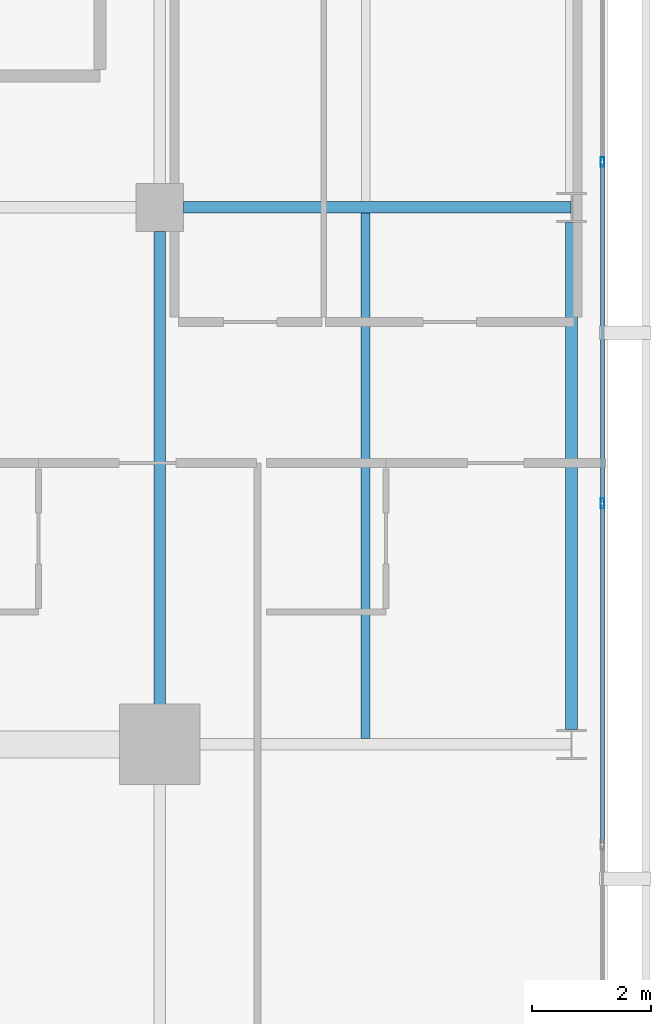
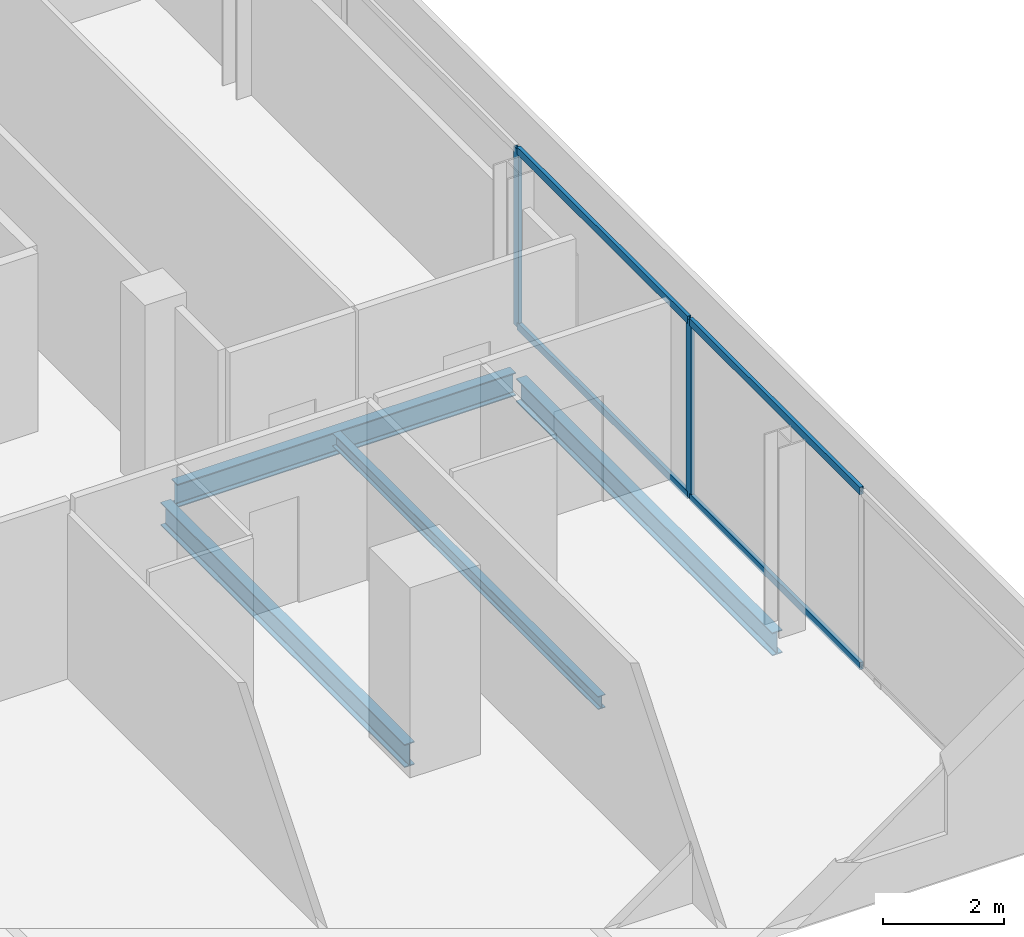
# One storey, part 12 of 24: 6 members, 4 beams, 1 element without a shape of its own.
"""IFC4 building model written with IfcOpenShell, lengths in metres."""

from ifc_helpers import new_model, si_unit, direction, frame, origin, origin_2d, place, context, subcontext, project, spatial, hollow_rectangle, i_section, extrude, material, layer, layer_set, material_profile, profile_set, type_object, element, aggregate, save


model = new_model("IFC4")

# Units and contexts
model_context = context("Model", 3, precision=1e-05, world=origin(), true_north=direction((0.0, 1.0)))
body_context = subcontext(model_context, "Body", "Model", "MODEL_VIEW")
ifc_project = project(units=[si_unit("LENGTHUNIT", "METRE"), si_unit("AREAUNIT", "SQUARE_METRE"), si_unit("VOLUMEUNIT", "CUBIC_METRE"), si_unit("PLANEANGLEUNIT", "RADIAN"), si_unit("MASSUNIT", "GRAM", prefix="KILO")], contexts=[model_context])

# Site, building, storey
site_placement = place(None, origin())
site = spatial("IfcSite", under=ifc_project, at=site_placement, CompositionType="ELEMENT")
building_placement = place(site_placement, origin())
building = spatial("IfcBuilding", under=site, at=building_placement, Name="Maruvema Waterfront Hotel and Observation Tower", CompositionType="ELEMENT")
storey_placement = place(building_placement, frame((0.0, 0.0, 325.85009765625)))
storey = spatial("IfcBuildingStorey", under=building, at=storey_placement, Name="L80", CompositionType="ELEMENT", Elevation=325.85009765625)

# Curtain wall, members
ifc_material_1 = material(Name="Anodised bronze aluminium and solar-control low-E IGU", Category="aluminium")
ifc_layer = layer(ifc_material_1, 0.159912109375, Name="Zone 4 Sky Residence Inner Curtain Wall System CW-05")
ifc_layer_set = layer_set([ifc_layer], Name="Anodised bronze aluminium and solar-control low-E IGU")
curtain_wall_type = type_object("IfcCurtainWallType", Name="Zone 4 Sky Residence Inner Curtain Wall System CW-05", PredefinedType="USERDEFINED", material=ifc_layer_set)
curtain_wall_placement = place(storey_placement, origin())
curtain_wall = element("IfcCurtainWall", 1, at=curtain_wall_placement, inside=storey, type_object=curtain_wall_type, Name="L80 Curtain Wall CW-L80-E", ObjectType="UNITISED CURTAIN WALL", PredefinedType="USERDEFINED")
ifc_material_2 = material(Name="Anodised architectural bronze aluminium", Category="aluminium")
ifc_material_profile_1 = material_profile(ifc_material_2, hollow_rectangle(XDim=0.070068359375, YDim=0.14990234375, WallThickness=0.00390625, at=origin_2d()), Name="ALU-T70x150")
ifc_profile_set_1 = profile_set([ifc_material_profile_1], Name="Anodised architectural bronze aluminium")
member_type_1 = type_object("IfcMemberType", Name="Curtain Wall Horizontal Transom ALU-T70x150", PredefinedType="USERDEFINED", material=ifc_profile_set_1)
member_1_placement = place(storey_placement, frame((57.820068359375, 25.35009765625, 0.02978515625), z_axis=(0.0, 1.0, 0.0), x_axis=(-1.0, 0.0, 0.0)))
member_1 = element("IfcMember", 2, at=member_1_placement, type_object=member_type_1, Name="CW-05 transom 2.1", ObjectType="TRANSOM", PredefinedType="USERDEFINED", context=body_context, shape_type="SweptSolid", body=[
    extrude(hollow_rectangle(XDim=0.070068359375, YDim=0.14990234375, WallThickness=0.00390625, at=origin_2d()), origin(), (0.0, 0.0, 1.0), 5.659912109375),
])
member_2_placement = place(storey_placement, frame((57.820068359375, 25.35009765625, 3.579833984375), z_axis=(0.0, 1.0, 0.0), x_axis=(-1.0, 0.0, 0.0)))
member_2 = element("IfcMember", 3, at=member_2_placement, type_object=member_type_1, Name="CW-05 transom 2.2", ObjectType="TRANSOM", PredefinedType="USERDEFINED", context=body_context, shape_type="SweptSolid", body=[
    extrude(hollow_rectangle(XDim=0.070068359375, YDim=0.14990234375, WallThickness=0.00390625, at=origin_2d()), origin(), (0.0, 0.0, 1.0), 5.659912109375),
])
member_3_placement = place(storey_placement, frame((57.820068359375, 31.070068359375, 0.02978515625), z_axis=(0.0, 1.0, 0.0), x_axis=(-1.0, 0.0, 0.0)))
member_3 = element("IfcMember", 4, at=member_3_placement, type_object=member_type_1, Name="CW-05 transom 3.1", ObjectType="TRANSOM", PredefinedType="USERDEFINED", context=body_context, shape_type="SweptSolid", body=[
    extrude(hollow_rectangle(XDim=0.070068359375, YDim=0.14990234375, WallThickness=0.00390625, at=origin_2d()), origin(), (0.0, 0.0, 1.0), 5.659912109375),
])
member_4_placement = place(storey_placement, frame((57.820068359375, 31.070068359375, 3.579833984375), z_axis=(0.0, 1.0, 0.0), x_axis=(-1.0, 0.0, 0.0)))
member_4 = element("IfcMember", 5, at=member_4_placement, type_object=member_type_1, Name="CW-05 transom 3.2", ObjectType="TRANSOM", PredefinedType="USERDEFINED", context=body_context, shape_type="SweptSolid", body=[
    extrude(hollow_rectangle(XDim=0.070068359375, YDim=0.14990234375, WallThickness=0.00390625, at=origin_2d()), origin(), (0.0, 0.0, 1.0), 5.659912109375),
])
ifc_material_3 = material(Name="Anodised architectural bronze aluminium", Category="aluminium")
ifc_material_profile_2 = material_profile(ifc_material_3, hollow_rectangle(XDim=0.06494140625, YDim=0.1650390625, WallThickness=0.00390625, at=origin_2d()), Name="ALU-M65x165")
ifc_profile_set_2 = profile_set([ifc_material_profile_2], Name="Anodised architectural bronze aluminium")
member_type_2 = type_object("IfcMemberType", Name="Curtain Wall Primary Mullion ALU-M65x165", PredefinedType="MULLION", material=ifc_profile_set_2)
member_5_placement = place(storey_placement, frame((57.820068359375, 31.0400390625, 0.0), z_axis=(0.0, 0.0, 1.0), x_axis=(-1.0, 0.0, 0.0)))
member_5 = element("IfcMember", 6, at=member_5_placement, type_object=member_type_2, Name="CW-05 mullion 3", PredefinedType="MULLION", context=body_context, shape_type="SweptSolid", body=[
    extrude(hollow_rectangle(XDim=0.06494140625, YDim=0.1650390625, WallThickness=0.00390625, at=origin_2d()), origin(), (0.0, 0.0, 1.0), 3.60986328125),
])
member_6_placement = place(storey_placement, frame((57.820068359375, 36.760009765625, 0.0), z_axis=(0.0, 0.0, 1.0), x_axis=(-1.0, 0.0, 0.0)))
member_6 = element("IfcMember", 7, at=member_6_placement, type_object=member_type_2, Name="CW-05 mullion 4", PredefinedType="MULLION", context=body_context, shape_type="SweptSolid", body=[
    extrude(hollow_rectangle(XDim=0.06494140625, YDim=0.1650390625, WallThickness=0.00390625, at=origin_2d()), origin(), (0.0, 0.0, 1.0), 3.60986328125),
])
aggregate(curtain_wall, [member_5, member_6, member_1, member_2, member_3, member_4])

# Beams
ifc_material_4 = material(Name="Steel ASTM A572 Grade 50", Category="steel")
ifc_material_profile_3 = material_profile(ifc_material_4, i_section(OverallWidth=0.194091796875, OverallDepth=0.468994140625, WebThickness=0.0126953125, FlangeThickness=0.0205078125, FilletRadius=0.014892578125, at=origin_2d()), Name="W460x106.0")
ifc_profile_set_3 = profile_set([ifc_material_profile_3], Name="Steel ASTM A572 Grade 50")
beam_type_1 = type_object("IfcBeamType", Name="Primary Floor Girder W460x106.0", PredefinedType="BEAM", material=ifc_profile_set_3)
beam_1_placement = place(storey_placement, frame((50.800048828125, 36.0, -0.474609375), z_axis=(1.0, 0.0, 0.0), x_axis=(0.0, 1.0, 0.0)))
element("IfcBeam", 8, at=beam_1_placement, inside=storey, type_object=beam_type_1, Name="L80 Floor Girder EW-14", PredefinedType="BEAM", context=body_context, shape_type="SweptSolid", body=[
    extrude(i_section(OverallWidth=0.194091796875, OverallDepth=0.468994140625, WebThickness=0.0126953125, FlangeThickness=0.0205078125, FilletRadius=0.014892578125, at=origin_2d()), origin(), (0.0, 0.0, 1.0), 6.489013671875),
])
beam_2_placement = place(storey_placement, frame((50.39990234375, 27.5, -0.474609375), z_axis=(0.0, 1.0, 0.0), x_axis=(-1.0, 0.0, 0.0)))
element("IfcBeam", 9, at=beam_2_placement, inside=storey, type_object=beam_type_1, Name="L80 Floor Girder NS-13", PredefinedType="BEAM", context=body_context, shape_type="SweptSolid", body=[
    extrude(i_section(OverallWidth=0.194091796875, OverallDepth=0.468994140625, WebThickness=0.0126953125, FlangeThickness=0.0205078125, FilletRadius=0.014892578125, at=origin_2d()), origin(), (0.0, 0.0, 1.0), 8.10009765625),
])
beam_3_placement = place(storey_placement, frame((57.300048828125, 27.25, -0.474609375), z_axis=(0.0, 1.0, 0.0), x_axis=(-1.0, 0.0, 0.0)))
element("IfcBeam", 10, at=beam_3_placement, inside=storey, type_object=beam_type_1, Name="L80 Floor Girder NS-15", PredefinedType="BEAM", context=body_context, shape_type="SweptSolid", body=[
    extrude(i_section(OverallWidth=0.194091796875, OverallDepth=0.468994140625, WebThickness=0.0126953125, FlangeThickness=0.0205078125, FilletRadius=0.014892578125, at=origin_2d()), origin(), (0.0, 0.0, 1.0), 8.5),
])
ifc_material_5 = material(Name="Steel ASTM A572 Grade 50", Category="steel")
ifc_material_profile_4 = material_profile(ifc_material_5, i_section(OverallWidth=0.14794921875, OverallDepth=0.26611328125, WebThickness=0.007568359375, FlangeThickness=0.012939453125, FilletRadius=0.012939453125, at=origin_2d()), Name="W250x44.8")
ifc_profile_set_4 = profile_set([ifc_material_profile_4], Name="Steel ASTM A572 Grade 50")
beam_type_2 = type_object("IfcBeamType", Name="Secondary Floor Joist W250x44.8", PredefinedType="JOIST", material=ifc_profile_set_4)
beam_4_placement = place(storey_placement, frame((53.85009765625, 27.096923828125, -0.373046875), z_axis=(0.0, 1.0, 0.0), x_axis=(-1.0, 0.0, 0.0)))
element("IfcBeam", 11, at=beam_4_placement, inside=storey, type_object=beam_type_2, Name="L80 Secondary Floor Joist JS-06", PredefinedType="JOIST", context=body_context, shape_type="SweptSolid", body=[
    extrude(i_section(OverallWidth=0.14794921875, OverallDepth=0.26611328125, WebThickness=0.007568359375, FlangeThickness=0.012939453125, FilletRadius=0.012939453125, at=origin_2d()), origin(), (0.0, 0.0, 1.0), 8.80615234375),
])

save(model, "model.ifc")
